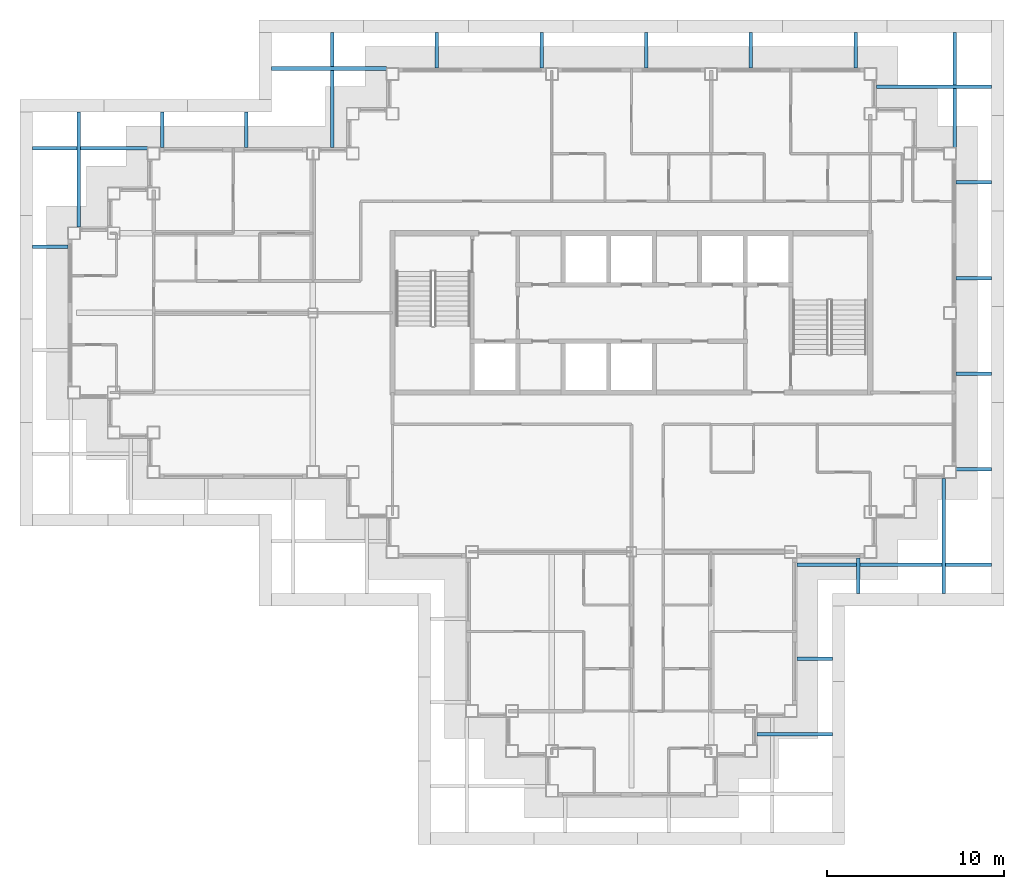
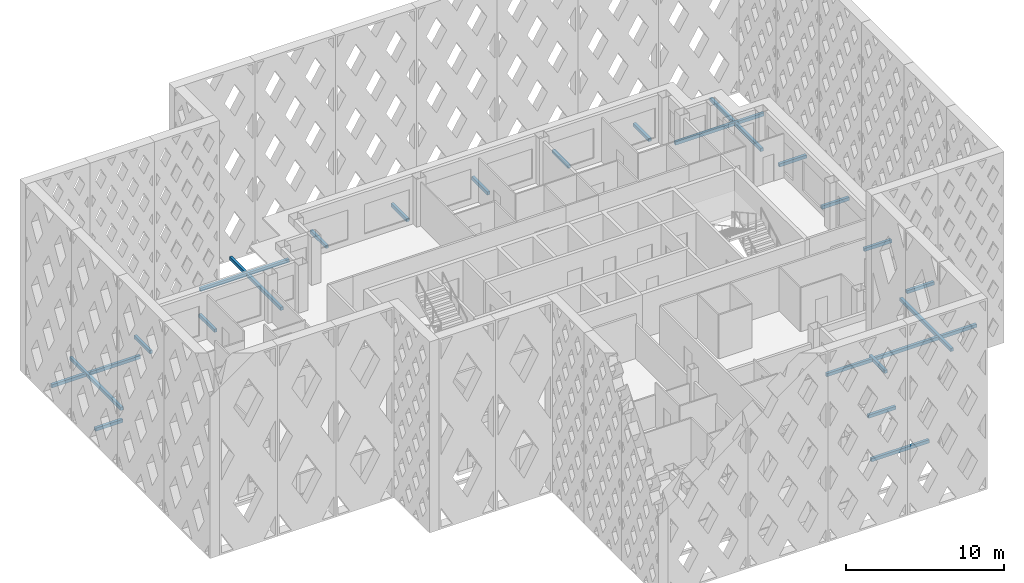
# One storey, part 8 of 17: 23 discrete accessories.
"""IFC4 building model written with IfcOpenShell, lengths in metres."""

from ifc_helpers import new_model, si_unit, direction, frame, origin, origin_2d, place, context, subcontext, project, spatial, rectangle, extrude, material, type_object, element, save


model = new_model("IFC4")

# Units and contexts
model_context = context("Model", 3, precision=1e-05, world=origin(), true_north=direction((0.0, 1.0)))
body_context = subcontext(model_context, "Body", "Model", "MODEL_VIEW")
ifc_project = project(units=[si_unit("LENGTHUNIT", "METRE"), si_unit("AREAUNIT", "SQUARE_METRE"), si_unit("VOLUMEUNIT", "CUBIC_METRE"), si_unit("PLANEANGLEUNIT", "RADIAN"), si_unit("MASSUNIT", "GRAM", prefix="KILO")], contexts=[model_context])

# Site, building, storey
site_placement = place(None, origin())
site = spatial("IfcSite", under=ifc_project, at=site_placement, CompositionType="ELEMENT")
building_placement = place(site_placement, origin())
building = spatial("IfcBuilding", under=site, at=building_placement, Name="Caravel Reach Hotel and Residences", CompositionType="ELEMENT")
storey_placement = place(building_placement, frame((0.0, 0.0, 192.39990234375)))
storey = spatial("IfcBuildingStorey", under=building, at=storey_placement, Name="L48", CompositionType="ELEMENT", Elevation=192.39990234375)

# Discrete accessories
ifc_material = material(Name="Black powder-coated aluminium", Category="aluminium")
discrete_accessory_type = type_object("IfcDiscreteAccessoryType", Name="BR1 Screen bracket", PredefinedType="BRACKET", material=ifc_material)
discrete_accessory_1_placement = place(storey_placement, frame((40.72509765625, 3.19677734375, 0.10009765625), z_axis=(0.0, 0.0, 1.0), x_axis=(1.0, 0.0, 0.0)))
element("IfcDiscreteAccessory", 1, at=discrete_accessory_1_placement, inside=storey, type_object=discrete_accessory_type, Name="Screen bracket L48 1.2.1", PredefinedType="BRACKET", context=body_context, shape_type="SweptSolid", body=[
    extrude(rectangle(XDim=4.25, YDim=0.199951171875, at=origin_2d()), origin(), (0.0, 0.0, 1.0), 0.25),
])
for number, where, z_axis, x_axis, name in (
    (2, (41.85009765625, 7.46337890625, 0.10009765625), (0.0, 0.0, 1.0), (1.0, 0.0, 0.0), "Screen bracket L48 1.3.1"),
    (3, (44.304931640625, 12.14990234375, 0.10009765625), (0.0, 0.0, 1.0), (0.0, -1.0, 0.0), "Screen bracket L48 2.1.1"),
):
    element("IfcDiscreteAccessory", number, at=place(storey_placement, frame(where, z_axis=z_axis, x_axis=x_axis)), inside=storey, type_object=discrete_accessory_type, Name=name, PredefinedType="BRACKET", context=body_context, shape_type="SweptSolid", body=[
        extrude(rectangle(XDim=2.0, YDim=0.199951171875, at=origin_2d()), origin(), (0.0, 0.0, 1.0), 0.25),
    ])
discrete_accessory_2_placement = place(storey_placement, frame((49.155029296875, 14.39990234375, 0.10009765625), z_axis=(0.0, 0.0, 1.0), x_axis=(0.0, -1.0, 0.0)))
element("IfcDiscreteAccessory", 4, at=discrete_accessory_2_placement, inside=storey, type_object=discrete_accessory_type, Name="Screen bracket L48 2.2.1", PredefinedType="BRACKET", context=body_context, shape_type="SweptSolid", body=[
    extrude(rectangle(XDim=6.5, YDim=0.199951171875, at=origin_2d()), origin(), (0.0, 0.0, 1.0), 0.25),
])
discrete_accessory_3_placement = place(storey_placement, frame((46.35009765625, 12.77001953125, 0.10009765625), z_axis=(0.0, 0.0, 1.0), x_axis=(1.0, 0.0, 0.0)))
element("IfcDiscreteAccessory", 5, at=discrete_accessory_3_placement, inside=storey, type_object=discrete_accessory_type, Name="Screen bracket L48 3.1.1", PredefinedType="BRACKET", context=body_context, shape_type="SweptSolid", body=[
    extrude(rectangle(XDim=11.0, YDim=0.199951171875, at=origin_2d()), origin(), (0.0, 0.0, 1.0), 0.25),
])
for number, where, z_axis, x_axis, name in (
    (6, (50.85009765625, 18.169921875, 0.10009765625), (0.0, 0.0, 1.0), (1.0, 0.0, 0.0), "Screen bracket L48 3.2.1"),
    (7, (50.85009765625, 23.570068359375, 0.10009765625), (0.0, 0.0, 1.0), (1.0, 0.0, 0.0), "Screen bracket L48 3.3.1"),
    (8, (50.85009765625, 28.969970703125, 0.10009765625), (0.0, 0.0, 1.0), (1.0, 0.0, 0.0), "Screen bracket L48 3.4.1"),
    (9, (50.85009765625, 34.3701171875, 0.10009765625), (0.0, 0.0, 1.0), (1.0, 0.0, 0.0), "Screen bracket L48 3.5.1"),
):
    element("IfcDiscreteAccessory", number, at=place(storey_placement, frame(where, z_axis=z_axis, x_axis=x_axis)), inside=storey, type_object=discrete_accessory_type, Name=name, PredefinedType="BRACKET", context=body_context, shape_type="SweptSolid", body=[
        extrude(rectangle(XDim=2.0, YDim=0.199951171875, at=origin_2d()), origin(), (0.0, 0.0, 1.0), 0.25),
    ])
for number, where, z_axis, x_axis, name in (
    (10, (48.60009765625, 39.77001953125, 0.10009765625), (0.0, 0.0, 1.0), (1.0, 0.0, 0.0), "Screen bracket L48 3.6.1"),
    (11, (49.775634765625, 39.60009765625, 0.10009765625), (0.0, 0.0, 1.0), (0.0, 1.0, 0.0), "Screen bracket L48 4.1.1"),
):
    element("IfcDiscreteAccessory", number, at=place(storey_placement, frame(where, z_axis=z_axis, x_axis=x_axis)), inside=storey, type_object=discrete_accessory_type, Name=name, PredefinedType="BRACKET", context=body_context, shape_type="SweptSolid", body=[
        extrude(rectangle(XDim=6.5, YDim=0.199951171875, at=origin_2d()), origin(), (0.0, 0.0, 1.0), 0.25),
    ])
for number, where, z_axis, x_axis, name in (
    (12, (44.161376953125, 41.85009765625, 0.10009765625), (0.0, 0.0, 1.0), (0.0, 1.0, 0.0), "Screen bracket L48 4.2.1"),
    (13, (38.2470703125, 41.85009765625, 0.10009765625), (0.0, 0.0, 1.0), (0.0, 1.0, 0.0), "Screen bracket L48 4.3.1"),
    (14, (32.332763671875, 41.85009765625, 0.10009765625), (0.0, 0.0, 1.0), (0.0, 1.0, 0.0), "Screen bracket L48 4.4.1"),
    (15, (26.41845703125, 41.85009765625, 0.10009765625), (0.0, 0.0, 1.0), (0.0, 1.0, 0.0), "Screen bracket L48 4.5.1"),
    (16, (20.50439453125, 41.85009765625, 0.10009765625), (0.0, 0.0, 1.0), (0.0, 1.0, 0.0), "Screen bracket L48 4.6.1"),
):
    element("IfcDiscreteAccessory", number, at=place(storey_placement, frame(where, z_axis=z_axis, x_axis=x_axis)), inside=storey, type_object=discrete_accessory_type, Name=name, PredefinedType="BRACKET", context=body_context, shape_type="SweptSolid", body=[
        extrude(rectangle(XDim=2.0, YDim=0.199951171875, at=origin_2d()), origin(), (0.0, 0.0, 1.0), 0.25),
    ])
for number, where, z_axis, x_axis, name in (
    (17, (14.590087890625, 39.60009765625, 0.10009765625), (0.0, 0.0, 1.0), (0.0, 1.0, 0.0), "Screen bracket L48 4.7.1"),
    (18, (14.39990234375, 40.81005859375, 0.10009765625), (0.0, 0.0, 1.0), (-1.0, 0.0, 0.0), "Screen bracket L48 5.1.1"),
):
    element("IfcDiscreteAccessory", number, at=place(storey_placement, frame(where, z_axis=z_axis, x_axis=x_axis)), inside=storey, type_object=discrete_accessory_type, Name=name, PredefinedType="BRACKET", context=body_context, shape_type="SweptSolid", body=[
        extrude(rectangle(XDim=6.5, YDim=0.199951171875, at=origin_2d()), origin(), (0.0, 0.0, 1.0), 0.25),
    ])
for number, where, z_axis, x_axis, name in (
    (19, (9.72998046875, 37.35009765625, 0.10009765625), (0.0, 0.0, 1.0), (0.0, 1.0, 0.0), "Screen bracket L48 6.1.1"),
    (20, (4.99658203125, 37.35009765625, 0.10009765625), (0.0, 0.0, 1.0), (0.0, 1.0, 0.0), "Screen bracket L48 6.2.1"),
):
    element("IfcDiscreteAccessory", number, at=place(storey_placement, frame(where, z_axis=z_axis, x_axis=x_axis)), inside=storey, type_object=discrete_accessory_type, Name=name, PredefinedType="BRACKET", context=body_context, shape_type="SweptSolid", body=[
        extrude(rectangle(XDim=2.0, YDim=0.199951171875, at=origin_2d()), origin(), (0.0, 0.0, 1.0), 0.25),
    ])
for number, where, z_axis, x_axis, name in (
    (21, (0.263427734375, 35.10009765625, 0.10009765625), (0.0, 0.0, 1.0), (0.0, 1.0, 0.0), "Screen bracket L48 6.3.1"),
    (22, (0.89990234375, 36.294921875, 0.10009765625), (0.0, 0.0, 1.0), (-1.0, 0.0, 0.0), "Screen bracket L48 7.1.1"),
):
    element("IfcDiscreteAccessory", number, at=place(storey_placement, frame(where, z_axis=z_axis, x_axis=x_axis)), inside=storey, type_object=discrete_accessory_type, Name=name, PredefinedType="BRACKET", context=body_context, shape_type="SweptSolid", body=[
        extrude(rectangle(XDim=6.5, YDim=0.199951171875, at=origin_2d()), origin(), (0.0, 0.0, 1.0), 0.25),
    ])
discrete_accessory_4_placement = place(storey_placement, frame((-1.35009765625, 30.7451171875, 0.10009765625), z_axis=(0.0, 0.0, 1.0), x_axis=(-1.0, 0.0, 0.0)))
element("IfcDiscreteAccessory", 23, at=discrete_accessory_4_placement, inside=storey, type_object=discrete_accessory_type, Name="Screen bracket L48 7.2.1", PredefinedType="BRACKET", context=body_context, shape_type="SweptSolid", body=[
    extrude(rectangle(XDim=2.0, YDim=0.199951171875, at=origin_2d()), origin(), (0.0, 0.0, 1.0), 0.25),
])

save(model, "model.ifc")
